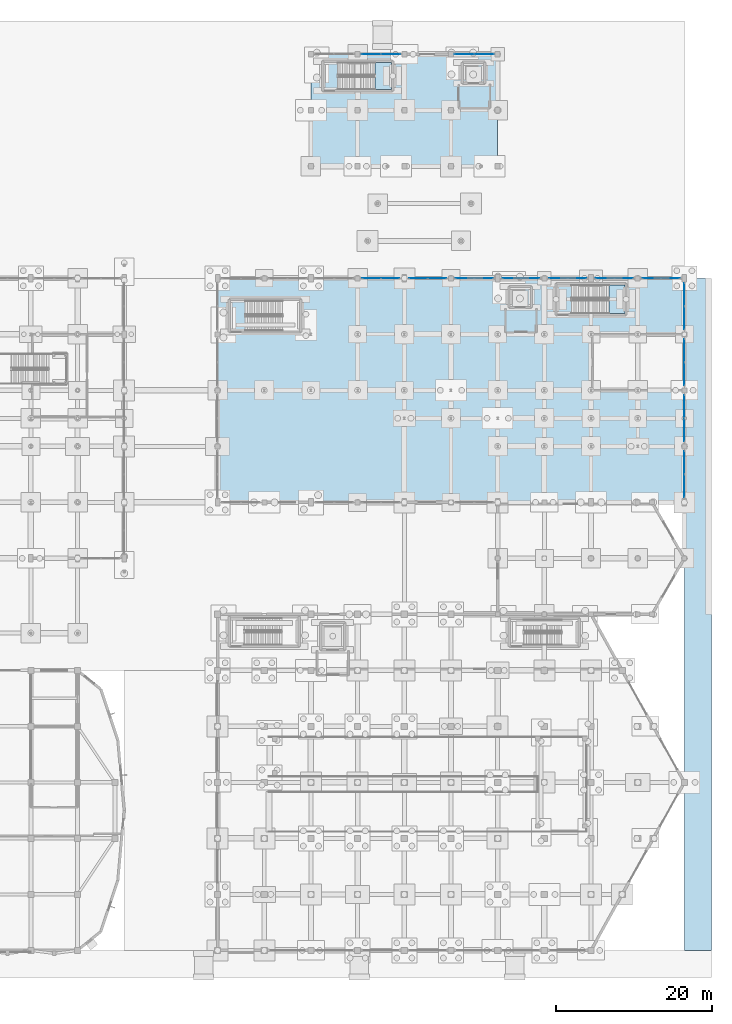
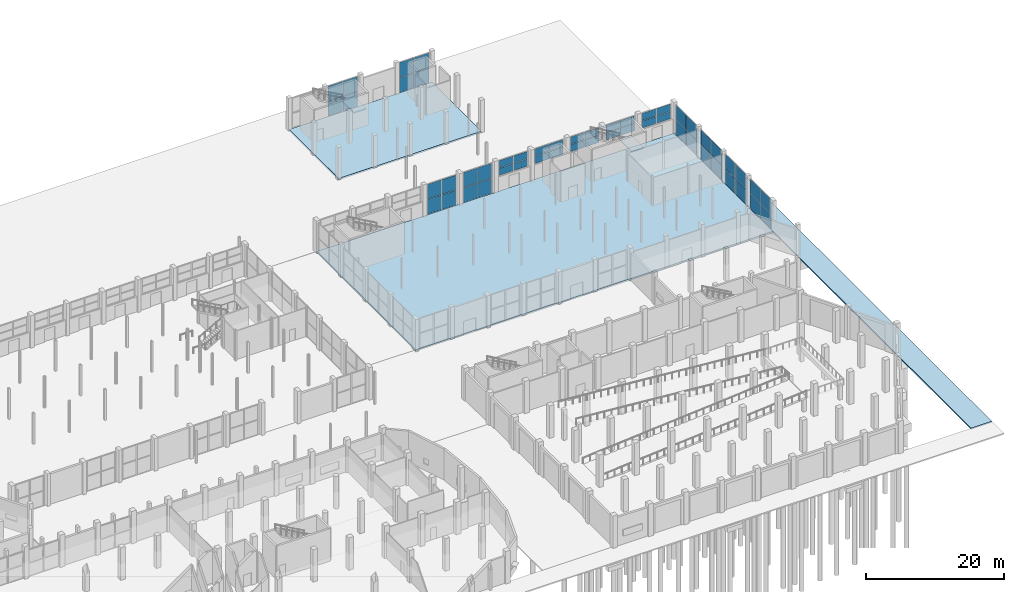
# One storey, part 74 of 103: 52 plates, 5 slabs, 15 elements without a shape of their own.
"""IFC4 building model written with IfcOpenShell, lengths in metres."""

from ifc_helpers import new_model, si_unit, direction, frame, origin, origin_2d, place, context, subcontext, project, spatial, polyline, rectangle, outline, extrude, material, layer, layer_set, type_object, element, aggregate, save


model = new_model("IFC4")

# Units and contexts
model_context = context("Model", 3, precision=1e-05, world=origin(), true_north=direction((0.0, 1.0)))
body_context = subcontext(model_context, "Body", "Model", "MODEL_VIEW")
ifc_project = project(units=[si_unit("LENGTHUNIT", "METRE"), si_unit("AREAUNIT", "SQUARE_METRE"), si_unit("VOLUMEUNIT", "CUBIC_METRE"), si_unit("PLANEANGLEUNIT", "RADIAN"), si_unit("MASSUNIT", "GRAM", prefix="KILO")], contexts=[model_context])

# Site, building, storey
site_placement = place(None, origin())
site = spatial("IfcSite", under=ifc_project, at=site_placement, CompositionType="ELEMENT")
building_placement = place(site_placement, origin())
building = spatial("IfcBuilding", under=site, at=building_placement, Name="Dunvalen Ferry Terminal", CompositionType="ELEMENT")
storey_placement = place(building_placement, origin())
storey = spatial("IfcBuildingStorey", under=building, at=storey_placement, Name="L00", CompositionType="ELEMENT", Elevation=0.0)

# Curtain wall, plates
ifc_material_1 = material(Name="Anodised marine aluminium and solar-control glazing", Category="aluminium")
ifc_layer_1 = layer(ifc_material_1, 0.219970703125, Name="Anodised marine aluminium and solar-control glazing")
ifc_layer_set_1 = layer_set([ifc_layer_1], Name="Anodised marine aluminium and solar-control glazing")
curtain_wall_type_1 = type_object("IfcCurtainWallType", Name="ENV-CW-SYS-03", PredefinedType="NOTDEFINED", material=ifc_layer_set_1)
curtain_wall_1_placement = place(storey_placement, origin())
curtain_wall_1 = element("IfcCurtainWall", 1, at=curtain_wall_1_placement, inside=storey, type_object=curtain_wall_type_1, Name="L00 Curtain Wall CW-V2E-L00-1", PredefinedType="NOTDEFINED")
ifc_material_2 = material(Name="Low-E solar-control laminated double glazing", Category="glass")
ifc_layer_2 = layer(ifc_material_2, 0.028076171875, Name="Low-E solar-control laminated double glazing")
ifc_layer_set_2 = layer_set([ifc_layer_2], Name="Low-E solar-control laminated double glazing")
plate_type_1 = type_object("IfcPlateType", Name="ENV-CW-PNL-1", PredefinedType="CURTAIN_PANEL", material=ifc_layer_set_2)
plate_1_placement = place(storey_placement, frame((168.0, 59.6962890625, 0.06494140625), z_axis=(0.0, 0.0, 1.0), x_axis=(0.0, 1.0, 0.0)))
plate_1 = element("IfcPlate", 2, at=plate_1_placement, type_object=plate_type_1, Name="CW-03 panel 1.1", PredefinedType="CURTAIN_PANEL", context=body_context, shape_type="SweptSolid", body=[
    extrude(rectangle(XDim=2.9423828125, YDim=0.028076171875, at=origin_2d()), origin(), (0.0, 0.0, 1.0), 2.62744140625),
])
plate_2_placement = place(storey_placement, frame((168.0, 59.6962890625, 2.757568359375), z_axis=(0.0, 0.0, 1.0), x_axis=(0.0, 1.0, 0.0)))
plate_2 = element("IfcPlate", 3, at=plate_2_placement, type_object=plate_type_1, Name="CW-03 panel 1.2", PredefinedType="CURTAIN_PANEL", context=body_context, shape_type="SweptSolid", body=[
    extrude(rectangle(XDim=2.9423828125, YDim=0.028076171875, at=origin_2d()), origin(), (0.0, 0.0, 1.0), 2.62744140625),
])
plate_3_placement = place(storey_placement, frame((168.0, 62.703857421875, 0.06494140625), z_axis=(0.0, 0.0, 1.0), x_axis=(0.0, 1.0, 0.0)))
plate_3 = element("IfcPlate", 4, at=plate_3_placement, type_object=plate_type_1, Name="CW-03 panel 2.1", PredefinedType="CURTAIN_PANEL", context=body_context, shape_type="SweptSolid", body=[
    extrude(rectangle(XDim=2.9423828125, YDim=0.028076171875, at=origin_2d()), origin(), (0.0, 0.0, 1.0), 2.62744140625),
])
plate_4_placement = place(storey_placement, frame((168.0, 62.703857421875, 2.757568359375), z_axis=(0.0, 0.0, 1.0), x_axis=(0.0, 1.0, 0.0)))
plate_4 = element("IfcPlate", 5, at=plate_4_placement, type_object=plate_type_1, Name="CW-03 panel 2.2", PredefinedType="CURTAIN_PANEL", context=body_context, shape_type="SweptSolid", body=[
    extrude(rectangle(XDim=2.9423828125, YDim=0.028076171875, at=origin_2d()), origin(), (0.0, 0.0, 1.0), 2.62744140625),
])
aggregate(curtain_wall_1, [plate_1, plate_2, plate_3, plate_4])

curtain_wall_2_placement = place(storey_placement, origin())
curtain_wall_2 = element("IfcCurtainWall", 6, at=curtain_wall_2_placement, inside=storey, type_object=curtain_wall_type_1, Name="L00 Curtain Wall CW-V2E-L00-2", PredefinedType="NOTDEFINED")
plate_5_placement = place(storey_placement, frame((168.0, 66.896240234375, 0.06494140625), z_axis=(0.0, 0.0, 1.0), x_axis=(0.0, 1.0, 0.0)))
plate_5 = element("IfcPlate", 7, at=plate_5_placement, type_object=plate_type_1, Name="CW-03 panel 1.1", PredefinedType="CURTAIN_PANEL", context=body_context, shape_type="SweptSolid", body=[
    extrude(rectangle(XDim=2.9423828125, YDim=0.028076171875, at=origin_2d()), origin(), (0.0, 0.0, 1.0), 2.62744140625),
])
plate_6_placement = place(storey_placement, frame((168.0, 66.896240234375, 2.757568359375), z_axis=(0.0, 0.0, 1.0), x_axis=(0.0, 1.0, 0.0)))
plate_6 = element("IfcPlate", 8, at=plate_6_placement, type_object=plate_type_1, Name="CW-03 panel 1.2", PredefinedType="CURTAIN_PANEL", context=body_context, shape_type="SweptSolid", body=[
    extrude(rectangle(XDim=2.9423828125, YDim=0.028076171875, at=origin_2d()), origin(), (0.0, 0.0, 1.0), 2.62744140625),
])
plate_7_placement = place(storey_placement, frame((168.0, 69.90380859375, 0.06494140625), z_axis=(0.0, 0.0, 1.0), x_axis=(0.0, 1.0, 0.0)))
plate_7 = element("IfcPlate", 9, at=plate_7_placement, type_object=plate_type_1, Name="CW-03 panel 2.1", PredefinedType="CURTAIN_PANEL", context=body_context, shape_type="SweptSolid", body=[
    extrude(rectangle(XDim=2.9423828125, YDim=0.028076171875, at=origin_2d()), origin(), (0.0, 0.0, 1.0), 2.62744140625),
])
plate_8_placement = place(storey_placement, frame((168.0, 69.90380859375, 2.757568359375), z_axis=(0.0, 0.0, 1.0), x_axis=(0.0, 1.0, 0.0)))
plate_8 = element("IfcPlate", 10, at=plate_8_placement, type_object=plate_type_1, Name="CW-03 panel 2.2", PredefinedType="CURTAIN_PANEL", context=body_context, shape_type="SweptSolid", body=[
    extrude(rectangle(XDim=2.9423828125, YDim=0.028076171875, at=origin_2d()), origin(), (0.0, 0.0, 1.0), 2.62744140625),
])
aggregate(curtain_wall_2, [plate_5, plate_6, plate_7, plate_8])

curtain_wall_3_placement = place(storey_placement, origin())
curtain_wall_3 = element("IfcCurtainWall", 11, at=curtain_wall_3_placement, inside=storey, type_object=curtain_wall_type_1, Name="L00 Curtain Wall CW-V2E-L00-3", PredefinedType="NOTDEFINED")
plate_9_placement = place(storey_placement, frame((168.0, 74.09619140625, 0.06494140625), z_axis=(0.0, 0.0, 1.0), x_axis=(0.0, 1.0, 0.0)))
plate_9 = element("IfcPlate", 12, at=plate_9_placement, type_object=plate_type_1, Name="CW-03 panel 1.1", PredefinedType="CURTAIN_PANEL", context=body_context, shape_type="SweptSolid", body=[
    extrude(rectangle(XDim=2.9423828125, YDim=0.028076171875, at=origin_2d()), origin(), (0.0, 0.0, 1.0), 2.62744140625),
])
plate_10_placement = place(storey_placement, frame((168.0, 74.09619140625, 2.757568359375), z_axis=(0.0, 0.0, 1.0), x_axis=(0.0, 1.0, 0.0)))
plate_10 = element("IfcPlate", 13, at=plate_10_placement, type_object=plate_type_1, Name="CW-03 panel 1.2", PredefinedType="CURTAIN_PANEL", context=body_context, shape_type="SweptSolid", body=[
    extrude(rectangle(XDim=2.9423828125, YDim=0.028076171875, at=origin_2d()), origin(), (0.0, 0.0, 1.0), 2.62744140625),
])
plate_11_placement = place(storey_placement, frame((168.0, 77.103759765625, 0.06494140625), z_axis=(0.0, 0.0, 1.0), x_axis=(0.0, 1.0, 0.0)))
plate_11 = element("IfcPlate", 14, at=plate_11_placement, type_object=plate_type_1, Name="CW-03 panel 2.1", PredefinedType="CURTAIN_PANEL", context=body_context, shape_type="SweptSolid", body=[
    extrude(rectangle(XDim=2.9423828125, YDim=0.028076171875, at=origin_2d()), origin(), (0.0, 0.0, 1.0), 2.62744140625),
])
plate_12_placement = place(storey_placement, frame((168.0, 77.103759765625, 2.757568359375), z_axis=(0.0, 0.0, 1.0), x_axis=(0.0, 1.0, 0.0)))
plate_12 = element("IfcPlate", 15, at=plate_12_placement, type_object=plate_type_1, Name="CW-03 panel 2.2", PredefinedType="CURTAIN_PANEL", context=body_context, shape_type="SweptSolid", body=[
    extrude(rectangle(XDim=2.9423828125, YDim=0.028076171875, at=origin_2d()), origin(), (0.0, 0.0, 1.0), 2.62744140625),
])
aggregate(curtain_wall_3, [plate_9, plate_10, plate_11, plate_12])

curtain_wall_4_placement = place(storey_placement, origin())
curtain_wall_4 = element("IfcCurtainWall", 16, at=curtain_wall_4_placement, inside=storey, type_object=curtain_wall_type_1, Name="L00 Curtain Wall CW-V2E-L00-4", PredefinedType="NOTDEFINED")
plate_13_placement = place(storey_placement, frame((168.0, 81.296142578125, 0.06494140625), z_axis=(0.0, 0.0, 1.0), x_axis=(0.0, 1.0, 0.0)))
plate_13 = element("IfcPlate", 17, at=plate_13_placement, type_object=plate_type_1, Name="CW-03 panel 1.1", PredefinedType="CURTAIN_PANEL", context=body_context, shape_type="SweptSolid", body=[
    extrude(rectangle(XDim=2.9423828125, YDim=0.028076171875, at=origin_2d()), origin(), (0.0, 0.0, 1.0), 2.62744140625),
])
plate_14_placement = place(storey_placement, frame((168.0, 81.296142578125, 2.757568359375), z_axis=(0.0, 0.0, 1.0), x_axis=(0.0, 1.0, 0.0)))
plate_14 = element("IfcPlate", 18, at=plate_14_placement, type_object=plate_type_1, Name="CW-03 panel 1.2", PredefinedType="CURTAIN_PANEL", context=body_context, shape_type="SweptSolid", body=[
    extrude(rectangle(XDim=2.9423828125, YDim=0.028076171875, at=origin_2d()), origin(), (0.0, 0.0, 1.0), 2.62744140625),
])
plate_15_placement = place(storey_placement, frame((168.0, 84.3037109375, 0.06494140625), z_axis=(0.0, 0.0, 1.0), x_axis=(0.0, 1.0, 0.0)))
plate_15 = element("IfcPlate", 19, at=plate_15_placement, type_object=plate_type_1, Name="CW-03 panel 2.1", PredefinedType="CURTAIN_PANEL", context=body_context, shape_type="SweptSolid", body=[
    extrude(rectangle(XDim=2.9423828125, YDim=0.028076171875, at=origin_2d()), origin(), (0.0, 0.0, 1.0), 2.62744140625),
])
plate_16_placement = place(storey_placement, frame((168.0, 84.3037109375, 2.757568359375), z_axis=(0.0, 0.0, 1.0), x_axis=(0.0, 1.0, 0.0)))
plate_16 = element("IfcPlate", 20, at=plate_16_placement, type_object=plate_type_1, Name="CW-03 panel 2.2", PredefinedType="CURTAIN_PANEL", context=body_context, shape_type="SweptSolid", body=[
    extrude(rectangle(XDim=2.9423828125, YDim=0.028076171875, at=origin_2d()), origin(), (0.0, 0.0, 1.0), 2.62744140625),
])
aggregate(curtain_wall_4, [plate_13, plate_14, plate_15, plate_16])

ifc_layer_3 = layer(ifc_material_1, 0.159912109375, Name="Anodised marine aluminium and solar-control glazing")
ifc_layer_set_3 = layer_set([ifc_layer_3], Name="Anodised marine aluminium and solar-control glazing")
curtain_wall_type_2 = type_object("IfcCurtainWallType", Name="ENV-CW-SYS-09", PredefinedType="NOTDEFINED", material=ifc_layer_set_3)
curtain_wall_5_placement = place(storey_placement, origin())
curtain_wall_5 = element("IfcCurtainWall", 21, at=curtain_wall_5_placement, inside=storey, type_object=curtain_wall_type_2, Name="L00 Curtain Wall CW-BRT2-N-L00-2", PredefinedType="NOTDEFINED")
plate_17_placement = place(storey_placement, frame((127.739990234375, 115.199951171875, 0.06005859375), z_axis=(0.0, 0.0, 1.0), x_axis=(1.0, 0.0, 0.0)))
plate_17 = element("IfcPlate", 22, at=plate_17_placement, type_object=plate_type_1, Name="CW-09 panel 1.1", PredefinedType="CURTAIN_PANEL", context=body_context, shape_type="SweptSolid", body=[
    extrude(rectangle(XDim=2.4599609375, YDim=0.028076171875, at=origin_2d()), origin(), (0.0, 0.0, 1.0), 2.635009765625),
])
plate_18_placement = place(storey_placement, frame((127.739990234375, 115.199951171875, 2.7548828125), z_axis=(0.0, 0.0, 1.0), x_axis=(1.0, 0.0, 0.0)))
plate_18 = element("IfcPlate", 23, at=plate_18_placement, type_object=plate_type_1, Name="CW-09 panel 1.2", PredefinedType="CURTAIN_PANEL", context=body_context, shape_type="SweptSolid", body=[
    extrude(rectangle(XDim=2.4599609375, YDim=0.028076171875, at=origin_2d()), origin(), (0.0, 0.0, 1.0), 2.635009765625),
])
plate_19_placement = place(storey_placement, frame((130.260009765625, 115.199951171875, 0.06005859375), z_axis=(0.0, 0.0, 1.0), x_axis=(1.0, 0.0, 0.0)))
plate_19 = element("IfcPlate", 24, at=plate_19_placement, type_object=plate_type_1, Name="CW-09 panel 2.1", PredefinedType="CURTAIN_PANEL", context=body_context, shape_type="SweptSolid", body=[
    extrude(rectangle(XDim=2.4599609375, YDim=0.028076171875, at=origin_2d()), origin(), (0.0, 0.0, 1.0), 2.635009765625),
])
plate_20_placement = place(storey_placement, frame((130.260009765625, 115.199951171875, 2.7548828125), z_axis=(0.0, 0.0, 1.0), x_axis=(1.0, 0.0, 0.0)))
plate_20 = element("IfcPlate", 25, at=plate_20_placement, type_object=plate_type_1, Name="CW-09 panel 2.2", PredefinedType="CURTAIN_PANEL", context=body_context, shape_type="SweptSolid", body=[
    extrude(rectangle(XDim=2.4599609375, YDim=0.028076171875, at=origin_2d()), origin(), (0.0, 0.0, 1.0), 2.635009765625),
])
aggregate(curtain_wall_5, [plate_17, plate_18, plate_19, plate_20])

curtain_wall_6_placement = place(storey_placement, origin())
curtain_wall_6 = element("IfcCurtainWall", 26, at=curtain_wall_6_placement, inside=storey, type_object=curtain_wall_type_2, Name="L00 Curtain Wall CW-BRT2-N-L00-4", PredefinedType="NOTDEFINED")
plate_21_placement = place(storey_placement, frame((139.739990234375, 115.199951171875, 0.06005859375), z_axis=(0.0, 0.0, 1.0), x_axis=(1.0, 0.0, 0.0)))
plate_21 = element("IfcPlate", 27, at=plate_21_placement, type_object=plate_type_1, Name="CW-09 panel 1.1", PredefinedType="CURTAIN_PANEL", context=body_context, shape_type="SweptSolid", body=[
    extrude(rectangle(XDim=2.4599609375, YDim=0.028076171875, at=origin_2d()), origin(), (0.0, 0.0, 1.0), 2.635009765625),
])
plate_22_placement = place(storey_placement, frame((139.739990234375, 115.199951171875, 2.7548828125), z_axis=(0.0, 0.0, 1.0), x_axis=(1.0, 0.0, 0.0)))
plate_22 = element("IfcPlate", 28, at=plate_22_placement, type_object=plate_type_1, Name="CW-09 panel 1.2", PredefinedType="CURTAIN_PANEL", context=body_context, shape_type="SweptSolid", body=[
    extrude(rectangle(XDim=2.4599609375, YDim=0.028076171875, at=origin_2d()), origin(), (0.0, 0.0, 1.0), 2.635009765625),
])
plate_23_placement = place(storey_placement, frame((142.260009765625, 115.199951171875, 0.06005859375), z_axis=(0.0, 0.0, 1.0), x_axis=(1.0, 0.0, 0.0)))
plate_23 = element("IfcPlate", 29, at=plate_23_placement, type_object=plate_type_1, Name="CW-09 panel 2.1", PredefinedType="CURTAIN_PANEL", context=body_context, shape_type="SweptSolid", body=[
    extrude(rectangle(XDim=2.4599609375, YDim=0.028076171875, at=origin_2d()), origin(), (0.0, 0.0, 1.0), 2.635009765625),
])
plate_24_placement = place(storey_placement, frame((142.260009765625, 115.199951171875, 2.7548828125), z_axis=(0.0, 0.0, 1.0), x_axis=(1.0, 0.0, 0.0)))
plate_24 = element("IfcPlate", 30, at=plate_24_placement, type_object=plate_type_1, Name="CW-09 panel 2.2", PredefinedType="CURTAIN_PANEL", context=body_context, shape_type="SweptSolid", body=[
    extrude(rectangle(XDim=2.4599609375, YDim=0.028076171875, at=origin_2d()), origin(), (0.0, 0.0, 1.0), 2.635009765625),
])
aggregate(curtain_wall_6, [plate_21, plate_22, plate_23, plate_24])

ifc_layer_4 = layer(ifc_material_1, 0.219970703125, Name="Anodised marine aluminium and solar-control glazing")
ifc_layer_set_4 = layer_set([ifc_layer_4], Name="Anodised marine aluminium and solar-control glazing")
curtain_wall_type_3 = type_object("IfcCurtainWallType", Name="ENV-CW-SYS-01", PredefinedType="NOTDEFINED", material=ifc_layer_set_4)
curtain_wall_7_placement = place(storey_placement, origin())
curtain_wall_7 = element("IfcCurtainWall", 31, at=curtain_wall_7_placement, inside=storey, type_object=curtain_wall_type_3, Name="L00 Curtain Wall CW-V2N-L00-04", PredefinedType="NOTDEFINED")
ifc_layer_5 = layer(ifc_material_2, 0.0439453125, Name="Low-E solar-control laminated double glazing")
ifc_layer_set_5 = layer_set([ifc_layer_5], Name="Low-E solar-control laminated double glazing")
plate_type_2 = type_object("IfcPlateType", Name="ENV-CW-PNL-5", PredefinedType="CURTAIN_PANEL", material=ifc_layer_set_5)
plate_25_placement = place(storey_placement, frame((127.796142578125, 86.39990234375, 0.06494140625), z_axis=(0.0, 0.0, 1.0), x_axis=(1.0, 0.0, 0.0)))
plate_25 = element("IfcPlate", 32, at=plate_25_placement, type_object=plate_type_2, Name="CW-01 panel 1.1", PredefinedType="CURTAIN_PANEL", context=body_context, shape_type="SweptSolid", body=[
    extrude(rectangle(XDim=2.342529296875, YDim=0.0439453125, at=origin_2d()), origin(), (0.0, 0.0, 1.0), 2.62744140625),
])
plate_26_placement = place(storey_placement, frame((127.796142578125, 86.39990234375, 2.757568359375), z_axis=(0.0, 0.0, 1.0), x_axis=(1.0, 0.0, 0.0)))
plate_26 = element("IfcPlate", 33, at=plate_26_placement, type_object=plate_type_2, Name="CW-01 panel 1.2", PredefinedType="CURTAIN_PANEL", context=body_context, shape_type="SweptSolid", body=[
    extrude(rectangle(XDim=2.342529296875, YDim=0.0439453125, at=origin_2d()), origin(), (0.0, 0.0, 1.0), 2.62744140625),
])
plate_27_placement = place(storey_placement, frame((130.203857421875, 86.39990234375, 0.06494140625), z_axis=(0.0, 0.0, 1.0), x_axis=(1.0, 0.0, 0.0)))
plate_27 = element("IfcPlate", 34, at=plate_27_placement, type_object=plate_type_2, Name="CW-01 panel 2.1", PredefinedType="CURTAIN_PANEL", context=body_context, shape_type="SweptSolid", body=[
    extrude(rectangle(XDim=2.342529296875, YDim=0.0439453125, at=origin_2d()), origin(), (0.0, 0.0, 1.0), 2.62744140625),
])
plate_28_placement = place(storey_placement, frame((130.203857421875, 86.39990234375, 2.757568359375), z_axis=(0.0, 0.0, 1.0), x_axis=(1.0, 0.0, 0.0)))
plate_28 = element("IfcPlate", 35, at=plate_28_placement, type_object=plate_type_2, Name="CW-01 panel 2.2", PredefinedType="CURTAIN_PANEL", context=body_context, shape_type="SweptSolid", body=[
    extrude(rectangle(XDim=2.342529296875, YDim=0.0439453125, at=origin_2d()), origin(), (0.0, 0.0, 1.0), 2.62744140625),
])
aggregate(curtain_wall_7, [plate_25, plate_26, plate_27, plate_28])

curtain_wall_8_placement = place(storey_placement, origin())
curtain_wall_8 = element("IfcCurtainWall", 36, at=curtain_wall_8_placement, inside=storey, type_object=curtain_wall_type_3, Name="L00 Curtain Wall CW-V2N-L00-05", PredefinedType="NOTDEFINED")
plate_29_placement = place(storey_placement, frame((133.796142578125, 86.39990234375, 0.06494140625), z_axis=(0.0, 0.0, 1.0), x_axis=(1.0, 0.0, 0.0)))
plate_29 = element("IfcPlate", 37, at=plate_29_placement, type_object=plate_type_2, Name="CW-01 panel 1.1", PredefinedType="CURTAIN_PANEL", context=body_context, shape_type="SweptSolid", body=[
    extrude(rectangle(XDim=2.342529296875, YDim=0.0439453125, at=origin_2d()), origin(), (0.0, 0.0, 1.0), 2.62744140625),
])
plate_30_placement = place(storey_placement, frame((133.796142578125, 86.39990234375, 2.757568359375), z_axis=(0.0, 0.0, 1.0), x_axis=(1.0, 0.0, 0.0)))
plate_30 = element("IfcPlate", 38, at=plate_30_placement, type_object=plate_type_2, Name="CW-01 panel 1.2", PredefinedType="CURTAIN_PANEL", context=body_context, shape_type="SweptSolid", body=[
    extrude(rectangle(XDim=2.342529296875, YDim=0.0439453125, at=origin_2d()), origin(), (0.0, 0.0, 1.0), 2.62744140625),
])
plate_31_placement = place(storey_placement, frame((136.203857421875, 86.39990234375, 0.06494140625), z_axis=(0.0, 0.0, 1.0), x_axis=(1.0, 0.0, 0.0)))
plate_31 = element("IfcPlate", 39, at=plate_31_placement, type_object=plate_type_2, Name="CW-01 panel 2.1", PredefinedType="CURTAIN_PANEL", context=body_context, shape_type="SweptSolid", body=[
    extrude(rectangle(XDim=2.342529296875, YDim=0.0439453125, at=origin_2d()), origin(), (0.0, 0.0, 1.0), 2.62744140625),
])
plate_32_placement = place(storey_placement, frame((136.203857421875, 86.39990234375, 2.757568359375), z_axis=(0.0, 0.0, 1.0), x_axis=(1.0, 0.0, 0.0)))
plate_32 = element("IfcPlate", 40, at=plate_32_placement, type_object=plate_type_2, Name="CW-01 panel 2.2", PredefinedType="CURTAIN_PANEL", context=body_context, shape_type="SweptSolid", body=[
    extrude(rectangle(XDim=2.342529296875, YDim=0.0439453125, at=origin_2d()), origin(), (0.0, 0.0, 1.0), 2.62744140625),
])
aggregate(curtain_wall_8, [plate_29, plate_30, plate_31, plate_32])

curtain_wall_9_placement = place(storey_placement, origin())
curtain_wall_9 = element("IfcCurtainWall", 41, at=curtain_wall_9_placement, inside=storey, type_object=curtain_wall_type_3, Name="L00 Curtain Wall CW-V2N-L00-06", PredefinedType="NOTDEFINED")
plate_33_placement = place(storey_placement, frame((139.796142578125, 86.39990234375, 2.76513671875), z_axis=(0.0, 0.0, 1.0), x_axis=(1.0, 0.0, 0.0)))
plate_33 = element("IfcPlate", 42, at=plate_33_placement, type_object=plate_type_2, Name="CW-01 panel 1.1", PredefinedType="CURTAIN_PANEL", context=body_context, shape_type="SweptSolid", body=[
    extrude(rectangle(XDim=2.342529296875, YDim=0.0439453125, at=origin_2d()), origin(), (0.0, 0.0, 1.0), 1.277587890625),
])
plate_34_placement = place(storey_placement, frame((139.796142578125, 86.39990234375, 4.107421875), z_axis=(0.0, 0.0, 1.0), x_axis=(1.0, 0.0, 0.0)))
plate_34 = element("IfcPlate", 43, at=plate_34_placement, type_object=plate_type_2, Name="CW-01 panel 1.2", PredefinedType="CURTAIN_PANEL", context=body_context, shape_type="SweptSolid", body=[
    extrude(rectangle(XDim=2.342529296875, YDim=0.0439453125, at=origin_2d()), origin(), (0.0, 0.0, 1.0), 1.277587890625),
])
plate_35_placement = place(storey_placement, frame((142.203857421875, 86.39990234375, 2.76513671875), z_axis=(0.0, 0.0, 1.0), x_axis=(1.0, 0.0, 0.0)))
plate_35 = element("IfcPlate", 44, at=plate_35_placement, type_object=plate_type_2, Name="CW-01 panel 2.1", PredefinedType="CURTAIN_PANEL", context=body_context, shape_type="SweptSolid", body=[
    extrude(rectangle(XDim=2.342529296875, YDim=0.0439453125, at=origin_2d()), origin(), (0.0, 0.0, 1.0), 1.277587890625),
])
plate_36_placement = place(storey_placement, frame((142.203857421875, 86.39990234375, 4.107421875), z_axis=(0.0, 0.0, 1.0), x_axis=(1.0, 0.0, 0.0)))
plate_36 = element("IfcPlate", 45, at=plate_36_placement, type_object=plate_type_2, Name="CW-01 panel 2.2", PredefinedType="CURTAIN_PANEL", context=body_context, shape_type="SweptSolid", body=[
    extrude(rectangle(XDim=2.342529296875, YDim=0.0439453125, at=origin_2d()), origin(), (0.0, 0.0, 1.0), 1.277587890625),
])
aggregate(curtain_wall_9, [plate_33, plate_34, plate_35, plate_36])

curtain_wall_10_placement = place(storey_placement, origin())
curtain_wall_10 = element("IfcCurtainWall", 46, at=curtain_wall_10_placement, inside=storey, type_object=curtain_wall_type_3, Name="L00 Curtain Wall CW-V2N-L00-07", PredefinedType="NOTDEFINED")
plate_37_placement = place(storey_placement, frame((145.796142578125, 86.39990234375, 2.76513671875), z_axis=(0.0, 0.0, 1.0), x_axis=(1.0, 0.0, 0.0)))
plate_37 = element("IfcPlate", 47, at=plate_37_placement, type_object=plate_type_2, Name="CW-01 panel 1.1", PredefinedType="CURTAIN_PANEL", context=body_context, shape_type="SweptSolid", body=[
    extrude(rectangle(XDim=2.342529296875, YDim=0.0439453125, at=origin_2d()), origin(), (0.0, 0.0, 1.0), 1.277587890625),
])
plate_38_placement = place(storey_placement, frame((145.796142578125, 86.39990234375, 4.107421875), z_axis=(0.0, 0.0, 1.0), x_axis=(1.0, 0.0, 0.0)))
plate_38 = element("IfcPlate", 48, at=plate_38_placement, type_object=plate_type_2, Name="CW-01 panel 1.2", PredefinedType="CURTAIN_PANEL", context=body_context, shape_type="SweptSolid", body=[
    extrude(rectangle(XDim=2.342529296875, YDim=0.0439453125, at=origin_2d()), origin(), (0.0, 0.0, 1.0), 1.277587890625),
])
plate_39_placement = place(storey_placement, frame((148.203857421875, 86.39990234375, 2.76513671875), z_axis=(0.0, 0.0, 1.0), x_axis=(1.0, 0.0, 0.0)))
plate_39 = element("IfcPlate", 49, at=plate_39_placement, type_object=plate_type_2, Name="CW-01 panel 2.1", PredefinedType="CURTAIN_PANEL", context=body_context, shape_type="SweptSolid", body=[
    extrude(rectangle(XDim=2.342529296875, YDim=0.0439453125, at=origin_2d()), origin(), (0.0, 0.0, 1.0), 1.277587890625),
])
plate_40_placement = place(storey_placement, frame((148.203857421875, 86.39990234375, 4.107421875), z_axis=(0.0, 0.0, 1.0), x_axis=(1.0, 0.0, 0.0)))
plate_40 = element("IfcPlate", 50, at=plate_40_placement, type_object=plate_type_2, Name="CW-01 panel 2.2", PredefinedType="CURTAIN_PANEL", context=body_context, shape_type="SweptSolid", body=[
    extrude(rectangle(XDim=2.342529296875, YDim=0.0439453125, at=origin_2d()), origin(), (0.0, 0.0, 1.0), 1.277587890625),
])
aggregate(curtain_wall_10, [plate_37, plate_38, plate_39, plate_40])

curtain_wall_11_placement = place(storey_placement, origin())
curtain_wall_11 = element("IfcCurtainWall", 51, at=curtain_wall_11_placement, inside=storey, type_object=curtain_wall_type_3, Name="L00 Curtain Wall CW-V2N-L00-08", PredefinedType="NOTDEFINED")
plate_41_placement = place(storey_placement, frame((151.796142578125, 86.39990234375, 2.76513671875), z_axis=(0.0, 0.0, 1.0), x_axis=(1.0, 0.0, 0.0)))
plate_41 = element("IfcPlate", 52, at=plate_41_placement, type_object=plate_type_2, Name="CW-01 panel 1.1", PredefinedType="CURTAIN_PANEL", context=body_context, shape_type="SweptSolid", body=[
    extrude(rectangle(XDim=2.342529296875, YDim=0.0439453125, at=origin_2d()), origin(), (0.0, 0.0, 1.0), 1.277587890625),
])
plate_42_placement = place(storey_placement, frame((151.796142578125, 86.39990234375, 4.107421875), z_axis=(0.0, 0.0, 1.0), x_axis=(1.0, 0.0, 0.0)))
plate_42 = element("IfcPlate", 53, at=plate_42_placement, type_object=plate_type_2, Name="CW-01 panel 1.2", PredefinedType="CURTAIN_PANEL", context=body_context, shape_type="SweptSolid", body=[
    extrude(rectangle(XDim=2.342529296875, YDim=0.0439453125, at=origin_2d()), origin(), (0.0, 0.0, 1.0), 1.277587890625),
])
plate_43_placement = place(storey_placement, frame((154.203857421875, 86.39990234375, 2.76513671875), z_axis=(0.0, 0.0, 1.0), x_axis=(1.0, 0.0, 0.0)))
plate_43 = element("IfcPlate", 54, at=plate_43_placement, type_object=plate_type_2, Name="CW-01 panel 2.1", PredefinedType="CURTAIN_PANEL", context=body_context, shape_type="SweptSolid", body=[
    extrude(rectangle(XDim=2.342529296875, YDim=0.0439453125, at=origin_2d()), origin(), (0.0, 0.0, 1.0), 1.277587890625),
])
plate_44_placement = place(storey_placement, frame((154.203857421875, 86.39990234375, 4.107421875), z_axis=(0.0, 0.0, 1.0), x_axis=(1.0, 0.0, 0.0)))
plate_44 = element("IfcPlate", 55, at=plate_44_placement, type_object=plate_type_2, Name="CW-01 panel 2.2", PredefinedType="CURTAIN_PANEL", context=body_context, shape_type="SweptSolid", body=[
    extrude(rectangle(XDim=2.342529296875, YDim=0.0439453125, at=origin_2d()), origin(), (0.0, 0.0, 1.0), 1.277587890625),
])
aggregate(curtain_wall_11, [plate_41, plate_42, plate_43, plate_44])

curtain_wall_12_placement = place(storey_placement, origin())
curtain_wall_12 = element("IfcCurtainWall", 56, at=curtain_wall_12_placement, inside=storey, type_object=curtain_wall_type_3, Name="L00 Curtain Wall CW-V2N-L00-09", PredefinedType="NOTDEFINED")
plate_45_placement = place(storey_placement, frame((157.796142578125, 86.39990234375, 2.76513671875), z_axis=(0.0, 0.0, 1.0), x_axis=(1.0, 0.0, 0.0)))
plate_45 = element("IfcPlate", 57, at=plate_45_placement, type_object=plate_type_2, Name="CW-01 panel 1.1", PredefinedType="CURTAIN_PANEL", context=body_context, shape_type="SweptSolid", body=[
    extrude(rectangle(XDim=2.342529296875, YDim=0.0439453125, at=origin_2d()), origin(), (0.0, 0.0, 1.0), 1.277587890625),
])
plate_46_placement = place(storey_placement, frame((157.796142578125, 86.39990234375, 4.107421875), z_axis=(0.0, 0.0, 1.0), x_axis=(1.0, 0.0, 0.0)))
plate_46 = element("IfcPlate", 58, at=plate_46_placement, type_object=plate_type_2, Name="CW-01 panel 1.2", PredefinedType="CURTAIN_PANEL", context=body_context, shape_type="SweptSolid", body=[
    extrude(rectangle(XDim=2.342529296875, YDim=0.0439453125, at=origin_2d()), origin(), (0.0, 0.0, 1.0), 1.277587890625),
])
plate_47_placement = place(storey_placement, frame((160.203857421875, 86.39990234375, 2.76513671875), z_axis=(0.0, 0.0, 1.0), x_axis=(1.0, 0.0, 0.0)))
plate_47 = element("IfcPlate", 59, at=plate_47_placement, type_object=plate_type_2, Name="CW-01 panel 2.1", PredefinedType="CURTAIN_PANEL", context=body_context, shape_type="SweptSolid", body=[
    extrude(rectangle(XDim=2.342529296875, YDim=0.0439453125, at=origin_2d()), origin(), (0.0, 0.0, 1.0), 1.277587890625),
])
plate_48_placement = place(storey_placement, frame((160.203857421875, 86.39990234375, 4.107421875), z_axis=(0.0, 0.0, 1.0), x_axis=(1.0, 0.0, 0.0)))
plate_48 = element("IfcPlate", 60, at=plate_48_placement, type_object=plate_type_2, Name="CW-01 panel 2.2", PredefinedType="CURTAIN_PANEL", context=body_context, shape_type="SweptSolid", body=[
    extrude(rectangle(XDim=2.342529296875, YDim=0.0439453125, at=origin_2d()), origin(), (0.0, 0.0, 1.0), 1.277587890625),
])
aggregate(curtain_wall_12, [plate_45, plate_46, plate_47, plate_48])

curtain_wall_13_placement = place(storey_placement, origin())
curtain_wall_13 = element("IfcCurtainWall", 61, at=curtain_wall_13_placement, inside=storey, type_object=curtain_wall_type_3, Name="L00 Curtain Wall CW-V2N-L00-10", PredefinedType="NOTDEFINED")
plate_49_placement = place(storey_placement, frame((163.796142578125, 86.39990234375, 2.76513671875), z_axis=(0.0, 0.0, 1.0), x_axis=(1.0, 0.0, 0.0)))
plate_49 = element("IfcPlate", 62, at=plate_49_placement, type_object=plate_type_2, Name="CW-01 panel 1.1", PredefinedType="CURTAIN_PANEL", context=body_context, shape_type="SweptSolid", body=[
    extrude(rectangle(XDim=2.342529296875, YDim=0.0439453125, at=origin_2d()), origin(), (0.0, 0.0, 1.0), 1.277587890625),
])
plate_50_placement = place(storey_placement, frame((163.796142578125, 86.39990234375, 4.107421875), z_axis=(0.0, 0.0, 1.0), x_axis=(1.0, 0.0, 0.0)))
plate_50 = element("IfcPlate", 63, at=plate_50_placement, type_object=plate_type_2, Name="CW-01 panel 1.2", PredefinedType="CURTAIN_PANEL", context=body_context, shape_type="SweptSolid", body=[
    extrude(rectangle(XDim=2.342529296875, YDim=0.0439453125, at=origin_2d()), origin(), (0.0, 0.0, 1.0), 1.277587890625),
])
plate_51_placement = place(storey_placement, frame((166.203857421875, 86.39990234375, 2.76513671875), z_axis=(0.0, 0.0, 1.0), x_axis=(1.0, 0.0, 0.0)))
plate_51 = element("IfcPlate", 64, at=plate_51_placement, type_object=plate_type_2, Name="CW-01 panel 2.1", PredefinedType="CURTAIN_PANEL", context=body_context, shape_type="SweptSolid", body=[
    extrude(rectangle(XDim=2.342529296875, YDim=0.0439453125, at=origin_2d()), origin(), (0.0, 0.0, 1.0), 1.277587890625),
])
plate_52_placement = place(storey_placement, frame((166.203857421875, 86.39990234375, 4.107421875), z_axis=(0.0, 0.0, 1.0), x_axis=(1.0, 0.0, 0.0)))
plate_52 = element("IfcPlate", 65, at=plate_52_placement, type_object=plate_type_2, Name="CW-01 panel 2.2", PredefinedType="CURTAIN_PANEL", context=body_context, shape_type="SweptSolid", body=[
    extrude(rectangle(XDim=2.342529296875, YDim=0.0439453125, at=origin_2d()), origin(), (0.0, 0.0, 1.0), 1.277587890625),
])
aggregate(curtain_wall_13, [plate_49, plate_50, plate_51, plate_52])

# Stair, slab
ifc_material_3 = material(Name="Concrete C35/45", Category="concrete")
stair_type_1 = type_object("IfcStairType", Name="INT-ST-DLG-12", PredefinedType="HALF_TURN_STAIR", material=ifc_material_3)
stair_1_placement = place(storey_placement, origin())
stair_1 = element("IfcStair", 66, at=stair_1_placement, inside=storey, type_object=stair_type_1, Name="L00 Arrivals Hall Quay Escape Stair 9", PredefinedType="HALF_TURN_STAIR")
ifc_layer_6 = layer(ifc_material_3, 0.199951171875, Name="Concrete C35/45")
ifc_layer_set_6 = layer_set([ifc_layer_6], Name="Concrete C35/45")
slab_type_1 = type_object("IfcSlabType", Name="INT-SLB-LND200", PredefinedType="LANDING", material=ifc_layer_set_6)
slab_1_placement = place(storey_placement, frame((0.0, 0.0, 2.679931640625)))
slab_1 = element("IfcSlab", 67, at=slab_1_placement, type_object=slab_type_1, Name="ST9 landing 1", PredefinedType="LANDING", context=body_context, shape_type="SweptSolid", body=[
    extrude(outline(polyline([(158.300048828125, 81.85009765625), (160.35009765625, 81.85009765625), (160.35009765625, 85.550048828125), (158.300048828125, 85.550048828125), (158.300048828125, 81.85009765625)])), origin(), (0.0, 0.0, 1.0), 0.199951171875),
])
aggregate(stair_1, [slab_1])

stair_type_2 = type_object("IfcStairType", Name="INT-ST-DLG-06", PredefinedType="HALF_TURN_STAIR", material=ifc_material_3)
stair_2_placement = place(storey_placement, origin())
stair_2 = element("IfcStair", 68, at=stair_2_placement, inside=storey, type_object=stair_type_2, Name="L00 Berth 2 Pavilion Escape Stair 12", PredefinedType="HALF_TURN_STAIR")
slab_2_placement = place(storey_placement, frame((0.0, 0.0, 2.679931640625)))
slab_2 = element("IfcSlab", 69, at=slab_2_placement, type_object=slab_type_1, Name="ST12 landing 1", PredefinedType="LANDING", context=body_context, shape_type="SweptSolid", body=[
    extrude(outline(polyline([(128.25, 110.64990234375), (130.35009765625, 110.64990234375), (130.35009765625, 114.14990234375), (128.25, 114.14990234375), (128.25, 110.64990234375)])), origin(), (0.0, 0.0, 1.0), 0.199951171875),
])
aggregate(stair_2, [slab_2])

# Slabs
ifc_material_4 = material(Name="Concrete C40/50", Category="concrete")
ifc_layer_7 = layer(ifc_material_4, 0.280029296875, Name="Concrete C40/50")
ifc_layer_set_7 = layer_set([ifc_layer_7], Name="Concrete C40/50")
slab_type_2 = type_object("IfcSlabType", Name="STR-SLB-FLR280", PredefinedType="FLOOR", material=ifc_layer_set_7)
slab_3_placement = place(storey_placement, frame((0.0, 0.0, -0.280029296875)))
element("IfcSlab", 70, at=slab_3_placement, inside=storey, type_object=slab_type_2, Name="L00 Arrivals Hall Floor Slab", PredefinedType="FLOOR", context=body_context, shape_type="SweptSolid", body=[
    extrude(outline(polyline([(108.0, 57.60009765625), (168.0, 57.60009765625), (168.0, 86.39990234375), (108.0, 86.39990234375), (108.0, 57.60009765625)])), origin(), (0.0, 0.0, 1.0), 0.280029296875),
])
slab_4_placement = place(storey_placement, frame((0.0, 0.0, -0.280029296875)))
element("IfcSlab", 71, at=slab_4_placement, inside=storey, type_object=slab_type_2, Name="L00 Berth Pavilion 2 Floor Slab", PredefinedType="FLOOR", context=body_context, shape_type="SweptSolid", body=[
    extrude(outline(polyline([(120.0, 100.800048828125), (144.0, 100.800048828125), (144.0, 115.199951171875), (120.0, 115.199951171875), (120.0, 100.800048828125)])), origin(), (0.0, 0.0, 1.0), 0.280029296875),
])
ifc_layer_8 = layer(ifc_material_4, 0.199951171875, Name="Concrete C40/50")
ifc_layer_set_8 = layer_set([ifc_layer_8], Name="Concrete C40/50")
slab_type_3 = type_object("IfcSlabType", Name="STR-SLB-PAV200", PredefinedType="FLOOR", material=ifc_layer_set_8)
slab_5_placement = place(storey_placement, frame((0.0, 0.0, -0.199951171875)))
element("IfcSlab", 72, at=slab_5_placement, inside=storey, type_object=slab_type_3, Name="L00 External Waterfront Paving APRON-EAST 1", PredefinedType="FLOOR", context=body_context, shape_type="SweptSolid", body=[
    extrude(outline(polyline([(168.010009765625, 86.39990234375), (168.010009765625, 57.60009765625), (168.010009765625, 57.59912109375), (168.009765625, 57.597900390625), (168.009521484375, 57.59716796875), (168.00927734375, 57.59619140625), (168.0087890625, 57.59521484375), (168.00830078125, 57.594482421875), (168.0078125, 57.59375), (168.007080078125, 57.593017578125), (168.00634765625, 57.59228515625), (168.005615234375, 57.591796875), (168.004638671875, 57.59130859375), (168.00390625, 57.5908203125), (168.0029296875, 57.59033203125), (168.001953125, 57.590087890625), (168.0009765625, 57.590087890625), (168.0, 57.590087890625), (168.0, 50.419921875), (168.0087890625, 50.405029296875), (168.009033203125, 50.404296875), (168.009521484375, 50.4033203125), (168.009765625, 50.40234375), (168.010009765625, 50.4013671875), (168.010009765625, 50.400390625), (168.010009765625, 50.3994140625), (168.010009765625, 50.398681640625), (168.009765625, 50.397705078125), (168.009521484375, 50.396728515625), (168.009033203125, 50.395751953125), (168.0087890625, 50.39501953125), (168.0, 50.3798828125), (168.0, 21.62060546875), (168.0087890625, 21.60498046875), (168.00927734375, 21.60400390625), (168.009521484375, 21.60302734375), (168.009765625, 21.60205078125), (168.010009765625, 21.60107421875), (168.010009765625, 21.60009765625), (168.010009765625, 21.59912109375), (168.009765625, 21.597900390625), (168.009521484375, 21.596923828125), (168.00927734375, 21.59619140625), (168.0087890625, 21.59521484375), (168.0, 21.579345703125), (168.0, 0.0), (171.5, 0.0), (171.5, 86.39990234375), (168.010009765625, 86.39990234375)])), origin(), (0.0, 0.0, 1.0), 0.199951171875),
])

save(model, "model.ifc")
